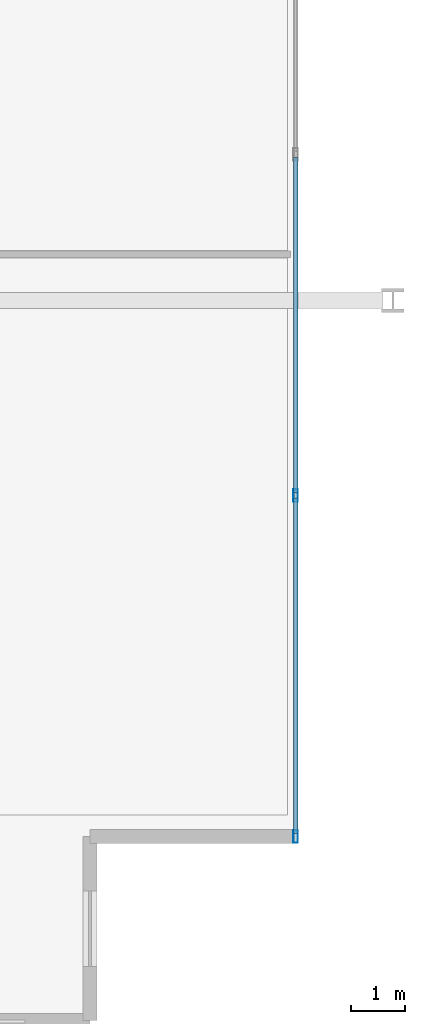
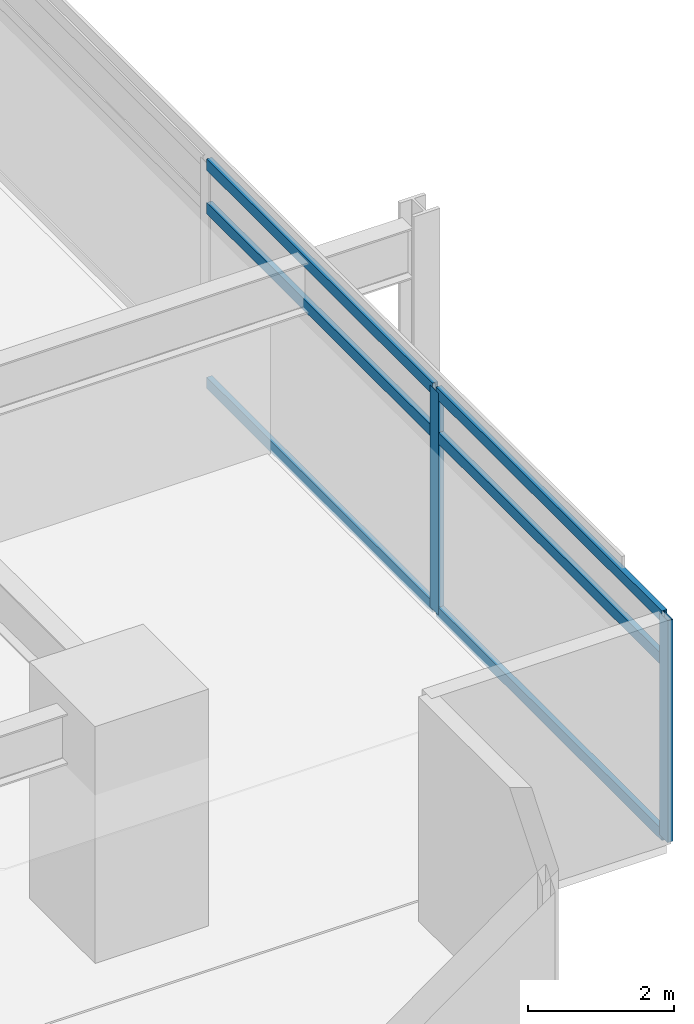
# One storey, part 2 of 22: 8 members, 1 element without a shape of its own.
"""IFC4 building model written with IfcOpenShell, lengths in metres."""

import ifcopenshell
import ifcopenshell.guid

model = None  # the IFC model being written
_history = None  # IfcOwnerHistory: only IFC2X3 demands one
_inside = {}  # id of a spatial element -> (the spatial element, [elements in it])
_under = {}  # id of a project, library or spatial element -> (it, [spatial elements below it])
_declared = {}  # id of a project -> (the project, [libraries it declares])
_typed = {}  # id of a type object -> (the type object, [elements of that type])
_made_of = {}  # id of a material, layer set ... -> (it, [elements and type objects made of it])


def new_model(schema):
    """Start an empty IFC model of exactly this schema.

    Asked for "IFC4X3", IfcOpenShell would pick the latest addendum, in which some entities
    have other attributes; the version numbers below select the first issue.
    IFC2X3 requires an IfcOwnerHistory on every rooted entity: one is made here for all.
    """
    global model, _history
    if schema == "IFC4X3":
        model = ifcopenshell.file(schema_version=(4, 3, 0, 0))
    else:
        model = ifcopenshell.file(schema=schema)
    _inside.clear()
    _under.clear()
    _declared.clear()
    _typed.clear()
    _made_of.clear()
    _history = None
    if model.schema == "IFC2X3":
        org = make("IfcOrganization", Name="unknown")
        user = make(
            "IfcPersonAndOrganization",
            ThePerson=make("IfcPerson", FamilyName="unknown"),
            TheOrganization=org,
        )
        app = make(
            "IfcApplication",
            ApplicationDeveloper=org,
            Version="unknown",
            ApplicationFullName="unknown",
            ApplicationIdentifier="unknown",
        )
        _history = make(
            "IfcOwnerHistory",
            OwningUser=user,
            OwningApplication=app,
            ChangeAction="ADDED",
            CreationDate=0,
        )
    return model


def make(cls, **values):
    """One entity of the class cls with the attributes given. An attribute that is None is left unset."""
    return model.create_entity(
        cls, **{name: value for name, value in values.items() if value is not None}
    )


def rooted(cls, **values):
    """An entity with a GlobalId (a new one), such as an element, a storey or a relation."""
    return make(cls, GlobalId=ifcopenshell.guid.new(), OwnerHistory=_history, **values)


def si_unit(unit_type, name, prefix=None):
    """IfcSIUnit, for example si_unit("LENGTHUNIT", "METRE", prefix="MILLI")."""
    return make("IfcSIUnit", UnitType=unit_type, Prefix=prefix, Name=name)


def assignment(units):
    """IfcUnitAssignment: the units of a project."""
    return None if units is None else make("IfcUnitAssignment", Units=units)


def point(xyz):
    """IfcCartesianPoint."""
    return None if xyz is None else make("IfcCartesianPoint", Coordinates=xyz)


def direction(xyz):
    """IfcDirection."""
    return None if xyz is None else make("IfcDirection", DirectionRatios=xyz)


def frame(location, z_axis=None, x_axis=None):
    """IfcAxis2Placement3D, a coordinate frame: its origin and axes. An axis left out is left unset."""
    return make(
        "IfcAxis2Placement3D",
        Location=point(location),
        Axis=direction(z_axis),
        RefDirection=direction(x_axis),
    )


def frame_2d(location, x_axis=None):
    """IfcAxis2Placement2D, a coordinate frame in the plane: its origin and x axis."""
    return make(
        "IfcAxis2Placement2D", Location=point(location), RefDirection=direction(x_axis)
    )


def origin():
    """The frame at (0, 0, 0) with its axes left unset."""
    return frame((0.0, 0.0, 0.0))


def origin_2d():
    """The frame at (0, 0) in the plane with its x axis left unset."""
    return frame_2d((0.0, 0.0))


def place(relative_to, where):
    """IfcLocalPlacement: puts the frame where relative to a parent placement (None: the world)."""
    return make(
        "IfcLocalPlacement", PlacementRelTo=relative_to, RelativePlacement=where
    )


def context(
    kind, dimensions, precision=None, world=None, true_north=None, identifier=None
):
    """IfcGeometricRepresentationContext, for example the 3D "Model" context."""
    return make(
        "IfcGeometricRepresentationContext",
        ContextIdentifier=identifier,
        ContextType=kind,
        CoordinateSpaceDimension=dimensions,
        Precision=precision,
        WorldCoordinateSystem=world,
        TrueNorth=true_north,
    )


def subcontext(parent, identifier, kind, view, scale=None):
    """IfcGeometricRepresentationSubContext, for example "Body" below "Model"."""
    return make(
        "IfcGeometricRepresentationSubContext",
        ContextIdentifier=identifier,
        ContextType=kind,
        ParentContext=parent,
        TargetScale=scale,
        TargetView=view,
    )


def project(units=None, contexts=None):
    """IfcProject with its units and contexts."""
    return rooted(
        "IfcProject",
        Name="project",
        RepresentationContexts=contexts,
        UnitsInContext=assignment(units),
    )


def spatial(cls, under=None, at=None, **own):
    """A site, building, storey or space (cls), placed at a placement, below another one or the project."""
    s = rooted(cls, ObjectPlacement=at, **own)
    if under is not None:
        _under.setdefault(under.id(), (under, []))[1].append(s)
    return s


def profile(cls, at=None, kind="AREA", **sizes):
    """A parametric profile (cls). Its sizes go by their IFC names, for example OverallWidth=200.0."""
    return make(cls, ProfileType=kind, Position=at, **sizes)


def hollow_rectangle(**sizes):
    """IfcRectangleHollowProfileDef."""
    return profile("IfcRectangleHollowProfileDef", **sizes)


def extrude(swept, where, along, depth):
    """IfcExtrudedAreaSolid: the profile swept, set in the frame where, extruded along a direction by depth."""
    return make(
        "IfcExtrudedAreaSolid",
        SweptArea=swept,
        Position=where,
        ExtrudedDirection=direction(along),
        Depth=depth,
    )


def shape(context_of_items, identifier, shape_type, items):
    """IfcShapeRepresentation: the items that make up one representation, for example the "Body"."""
    return make(
        "IfcShapeRepresentation",
        ContextOfItems=context_of_items,
        RepresentationIdentifier=identifier,
        RepresentationType=shape_type,
        Items=items,
    )


def material(Name=None, Category=None):
    """IfcMaterial."""
    return make("IfcMaterial", Name=Name, Category=Category)


def material_profile(
    of_material, cross_section, Name=None, Category=None, Priority=None
):
    """IfcMaterialProfile: a cross section and its material."""
    return make(
        "IfcMaterialProfile",
        Name=Name,
        Material=of_material,
        Profile=cross_section,
        Priority=Priority,
        Category=Category,
    )


def profile_set(profiles, Name=None, composite=None):
    """IfcMaterialProfileSet."""
    return make(
        "IfcMaterialProfileSet",
        Name=Name,
        MaterialProfiles=profiles,
        CompositeProfile=composite,
    )


def made_of(thing, what):
    """Note that an element or type object is made of a material, layer set ...; save() writes the relation."""
    if what is not None:
        _made_of.setdefault(what.id(), (what, []))[1].append(thing)
    return thing


def type_object(cls, material=None, **own):
    """A type object (cls), such as IfcWallType, which elements share."""
    return made_of(rooted(cls, **own), material)


def element(
    cls,
    number,
    at=None,
    inside=None,
    cuts=None,
    type_object=None,
    material=None,
    context=None,
    identifier="Body",
    shape_type=None,
    held_by="IfcProductDefinitionShape",
    body=None,
    shapes=None,
    **own,
):
    """One element of the class cls, such as IfcWall. Its Tag is "e" and its number.

    at: its placement. inside: the storey or other place that contains it. cuts: it is an
    opening in that element (IfcRelVoidsElement). A single representation is given by context,
    identifier, shape_type and body (its items); several are given by shapes. held_by: the class
    of the entity that holds the representations. save() writes the other relations.
    """
    e = rooted(cls, Tag="e%d" % number, ObjectPlacement=at, **own)
    if body is not None:
        shapes = [shape(context, identifier, shape_type, body)]
    if shapes is not None:
        e.Representation = make(held_by, Representations=shapes)
    if inside is not None:
        _inside.setdefault(inside.id(), (inside, []))[1].append(e)
    if cuts is not None:
        rooted(
            "IfcRelVoidsElement", RelatingBuildingElement=cuts, RelatedOpeningElement=e
        )
    if type_object is not None:
        _typed.setdefault(type_object.id(), (type_object, []))[1].append(e)
    return made_of(e, material)


def aggregate(whole, parts):
    """IfcRelAggregates: a whole, such as a stair, and the parts it consists of."""
    return rooted("IfcRelAggregates", RelatingObject=whole, RelatedObjects=parts)


def save(model, path):
    """Write the relations noted so far, then the file.

    IfcRelAggregates (storeys below a building ...), IfcRelContainedInSpatialStructure (elements
    in a storey), IfcRelDefinesByType, IfcRelAssociatesMaterial and IfcRelDeclares: one each for
    every whole, place, type object, material and project.
    """
    for whole, parts in _under.values():
        aggregate(whole, parts)
    for where, things in _inside.values():
        rooted(
            "IfcRelContainedInSpatialStructure",
            RelatedElements=things,
            RelatingStructure=where,
        )
    for kind, things in _typed.values():
        rooted("IfcRelDefinesByType", RelatedObjects=things, RelatingType=kind)
    for what, things in _made_of.values():
        rooted("IfcRelAssociatesMaterial", RelatedObjects=things, RelatingMaterial=what)
    for by, libraries in _declared.values():
        rooted("IfcRelDeclares", RelatingContext=by, RelatedDefinitions=libraries)
    model.write(path)


model = new_model("IFC4")

# Units and contexts
model_context = context("Model", 3, precision=1e-05, world=origin(), true_north=direction((0.0, 1.0)))
body_context = subcontext(model_context, "Body", "Model", "MODEL_VIEW")
ifc_project = project(units=[si_unit("LENGTHUNIT", "METRE"), si_unit("AREAUNIT", "SQUARE_METRE"), si_unit("VOLUMEUNIT", "CUBIC_METRE"), si_unit("PLANEANGLEUNIT", "RADIAN"), si_unit("MASSUNIT", "GRAM", prefix="KILO")], contexts=[model_context])

# Site, building, storey
site_placement = place(None, origin())
site = spatial("IfcSite", under=ifc_project, at=site_placement, CompositionType="ELEMENT")
building_placement = place(site_placement, origin())
building = spatial("IfcBuilding", under=site, at=building_placement, Name="Kovane Verandah Tower", CompositionType="ELEMENT")
storey_placement = place(building_placement, frame((0.0, 0.0, 59.60009765625)))
storey = spatial("IfcBuildingStorey", under=building, at=storey_placement, Name="L13", CompositionType="ELEMENT", Elevation=59.60009765625)

# Curtain wall, members
ifc_material_1 = material(Name="Champagne Anodised Aluminium Frame with Low-E Clear Laminated Glass", Category="aluminium")
curtain_wall_type = type_object("IfcCurtainWallType", Name="CW-SYS-02-LOW", PredefinedType="NOTDEFINED", material=ifc_material_1)
curtain_wall_placement = place(storey_placement, origin())
curtain_wall = element("IfcCurtainWall", 1, at=curtain_wall_placement, inside=storey, type_object=curtain_wall_type, Name="L13 E Unitised Curtain Wall", PredefinedType="NOTDEFINED")
ifc_material_2 = material(Name="Champagne Anodised Aluminium 6063-T6", Category="aluminium")
ifc_material_profile_1 = material_profile(ifc_material_2, hollow_rectangle(XDim=0.0849609375, YDim=0.22998046875, WallThickness=0.00390625, at=origin_2d()), Name="AL85x230x4")
ifc_profile_set_1 = profile_set([ifc_material_profile_1], Name="Champagne Anodised Aluminium 6063-T6")
member_type_1 = type_object("IfcMemberType", Name="CW-MUL-85x230", PredefinedType="MULLION", material=ifc_profile_set_1)
member_1_placement = place(storey_placement, frame((65.80517578125, 8.596435546875, 0.02001953125), z_axis=(0.0, 0.0, 1.0), x_axis=(1.0, 0.0, 0.0)))
member_1 = element("IfcMember", 2, at=member_1_placement, type_object=member_type_1, Name="L13 E Unitised Curtain Wall Mullion 1", PredefinedType="MULLION", context=body_context, shape_type="SweptSolid", body=[
    extrude(hollow_rectangle(XDim=0.0849609375, YDim=0.22998046875, WallThickness=0.00390625, at=origin_2d()), origin(), (0.0, 0.0, 1.0), 3.719970703125),
])
member_2_placement = place(storey_placement, frame((65.80517578125, 14.897705078125, 0.02001953125), z_axis=(0.0, 0.0, 1.0), x_axis=(1.0, 0.0, 0.0)))
member_2 = element("IfcMember", 3, at=member_2_placement, type_object=member_type_1, Name="L13 E Unitised Curtain Wall Mullion 2", PredefinedType="MULLION", context=body_context, shape_type="SweptSolid", body=[
    extrude(hollow_rectangle(XDim=0.0849609375, YDim=0.22998046875, WallThickness=0.00390625, at=origin_2d()), origin(), (0.0, 0.0, 1.0), 3.719970703125),
])
ifc_material_profile_2 = material_profile(ifc_material_2, hollow_rectangle(XDim=0.0849609375, YDim=0.18994140625, WallThickness=0.00390625, at=origin_2d()), Name="AL85x190x4")
ifc_profile_set_2 = profile_set([ifc_material_profile_2], Name="Champagne Anodised Aluminium 6063-T6")
member_type_2 = type_object("IfcMemberType", Name="CW-TRN-85x190", PredefinedType="USERDEFINED", material=ifc_profile_set_2)
member_3_placement = place(storey_placement, frame((65.80517578125, 8.646484375, 0.0498046875), z_axis=(0.0, 1.0, 0.0), x_axis=(-1.0, 0.0, 0.0)))
member_3 = element("IfcMember", 4, at=member_3_placement, type_object=member_type_2, Name="L13 E Unitised Curtain Wall Transom TB Bay 1", ObjectType="TRANSOM", PredefinedType="USERDEFINED", context=body_context, shape_type="SweptSolid", body=[
    extrude(hollow_rectangle(XDim=0.0849609375, YDim=0.18994140625, WallThickness=0.00390625, at=origin_2d()), origin(), (0.0, 0.0, 1.0), 6.201171875),
])
member_4_placement = place(storey_placement, frame((65.80517578125, 8.646484375, 2.97998046875), z_axis=(0.0, 1.0, 0.0), x_axis=(-1.0, 0.0, 0.0)))
member_4 = element("IfcMember", 5, at=member_4_placement, type_object=member_type_2, Name="L13 E Unitised Curtain Wall Transom TM Bay 1", ObjectType="TRANSOM", PredefinedType="USERDEFINED", context=body_context, shape_type="SweptSolid", body=[
    extrude(hollow_rectangle(XDim=0.0849609375, YDim=0.18994140625, WallThickness=0.00390625, at=origin_2d()), origin(), (0.0, 0.0, 1.0), 6.201171875),
])
member_5_placement = place(storey_placement, frame((65.80517578125, 8.646484375, 3.7099609375), z_axis=(0.0, 1.0, 0.0), x_axis=(-1.0, 0.0, 0.0)))
member_5 = element("IfcMember", 6, at=member_5_placement, type_object=member_type_2, Name="L13 E Unitised Curtain Wall Transom TT Bay 1", ObjectType="TRANSOM", PredefinedType="USERDEFINED", context=body_context, shape_type="SweptSolid", body=[
    extrude(hollow_rectangle(XDim=0.0849609375, YDim=0.18994140625, WallThickness=0.00390625, at=origin_2d()), origin(), (0.0, 0.0, 1.0), 6.201171875),
])
member_6_placement = place(storey_placement, frame((65.80517578125, 14.947509765625, 0.0498046875), z_axis=(0.0, 1.0, 0.0), x_axis=(-1.0, 0.0, 0.0)))
member_6 = element("IfcMember", 7, at=member_6_placement, type_object=member_type_2, Name="L13 E Unitised Curtain Wall Transom TB Bay 2", ObjectType="TRANSOM", PredefinedType="USERDEFINED", context=body_context, shape_type="SweptSolid", body=[
    extrude(hollow_rectangle(XDim=0.0849609375, YDim=0.18994140625, WallThickness=0.00390625, at=origin_2d()), origin(), (0.0, 0.0, 1.0), 6.201171875),
])
member_7_placement = place(storey_placement, frame((65.80517578125, 14.947509765625, 2.97998046875), z_axis=(0.0, 1.0, 0.0), x_axis=(-1.0, 0.0, 0.0)))
member_7 = element("IfcMember", 8, at=member_7_placement, type_object=member_type_2, Name="L13 E Unitised Curtain Wall Transom TM Bay 2", ObjectType="TRANSOM", PredefinedType="USERDEFINED", context=body_context, shape_type="SweptSolid", body=[
    extrude(hollow_rectangle(XDim=0.0849609375, YDim=0.18994140625, WallThickness=0.00390625, at=origin_2d()), origin(), (0.0, 0.0, 1.0), 6.201171875),
])
member_8_placement = place(storey_placement, frame((65.80517578125, 14.947509765625, 3.7099609375), z_axis=(0.0, 1.0, 0.0), x_axis=(-1.0, 0.0, 0.0)))
member_8 = element("IfcMember", 9, at=member_8_placement, type_object=member_type_2, Name="L13 E Unitised Curtain Wall Transom TT Bay 2", ObjectType="TRANSOM", PredefinedType="USERDEFINED", context=body_context, shape_type="SweptSolid", body=[
    extrude(hollow_rectangle(XDim=0.0849609375, YDim=0.18994140625, WallThickness=0.00390625, at=origin_2d()), origin(), (0.0, 0.0, 1.0), 6.201171875),
])
aggregate(curtain_wall, [member_1, member_2, member_3, member_4, member_5, member_6, member_7, member_8])

save(model, "model.ifc")
